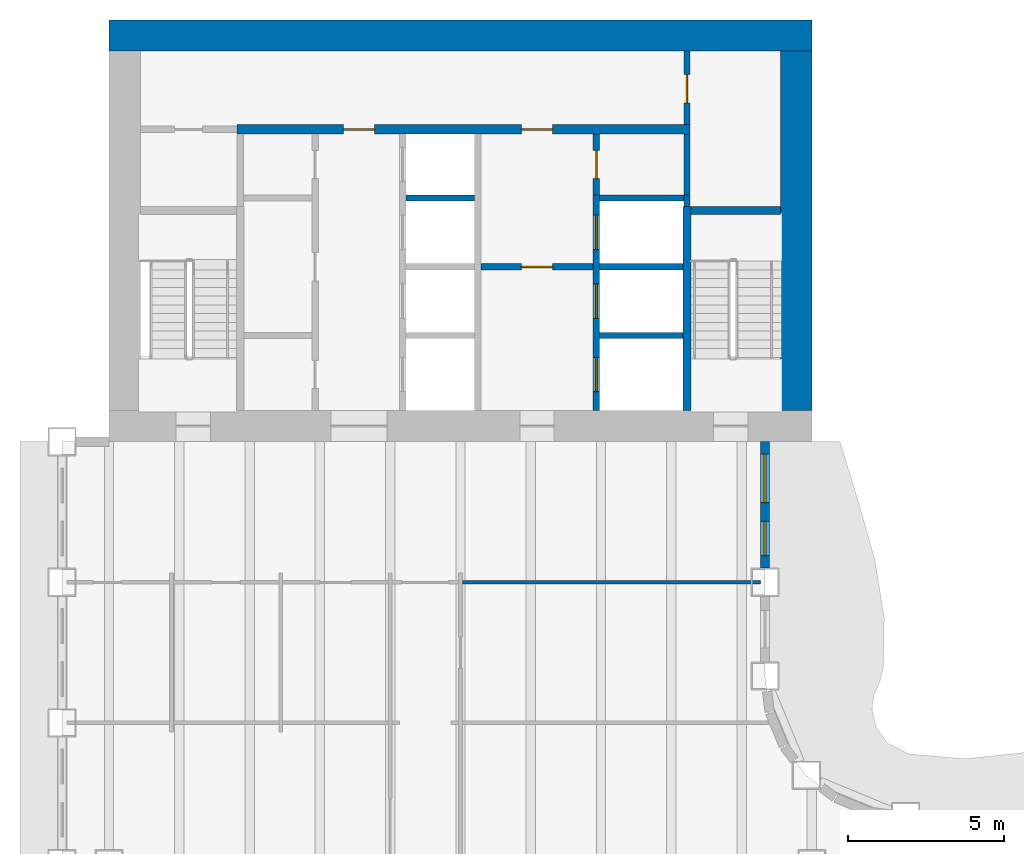
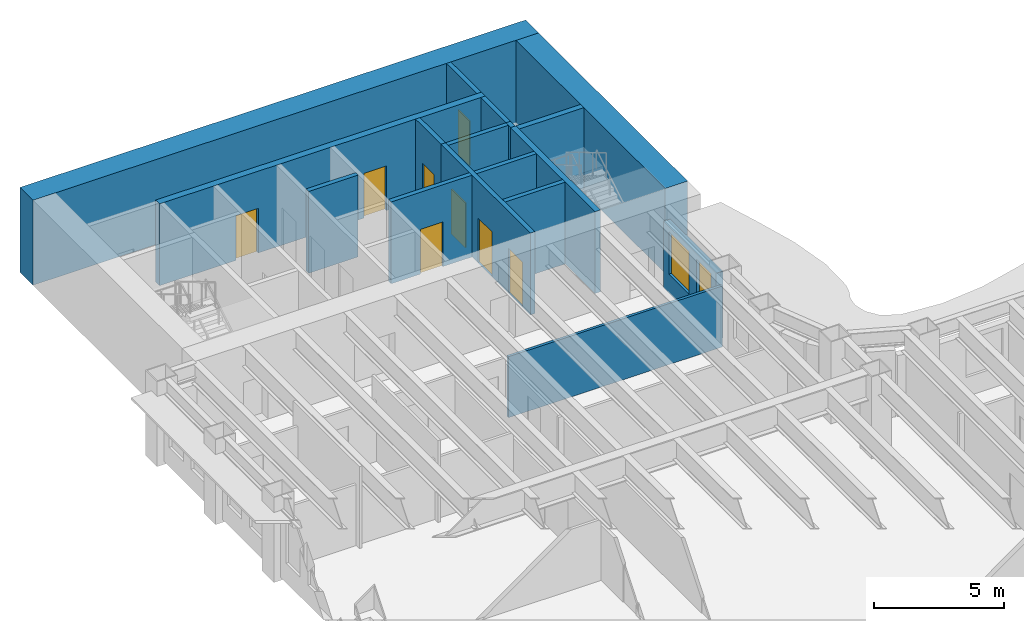
# One storey, part 9 of 16: 17 walls, 8 doors, 2 windows, 10 openings.
"""IFC4 building model written with IfcOpenShell, lengths in metres."""

import ifcopenshell
import ifcopenshell.guid

model = None  # the IFC model being written
_history = None  # IfcOwnerHistory: only IFC2X3 demands one
_inside = {}  # id of a spatial element -> (the spatial element, [elements in it])
_under = {}  # id of a project, library or spatial element -> (it, [spatial elements below it])
_declared = {}  # id of a project -> (the project, [libraries it declares])
_typed = {}  # id of a type object -> (the type object, [elements of that type])
_made_of = {}  # id of a material, layer set ... -> (it, [elements and type objects made of it])


def new_model(schema):
    """Start an empty IFC model of exactly this schema.

    Asked for "IFC4X3", IfcOpenShell would pick the latest addendum, in which some entities
    have other attributes; the version numbers below select the first issue.
    IFC2X3 requires an IfcOwnerHistory on every rooted entity: one is made here for all.
    """
    global model, _history
    if schema == "IFC4X3":
        model = ifcopenshell.file(schema_version=(4, 3, 0, 0))
    else:
        model = ifcopenshell.file(schema=schema)
    _inside.clear()
    _under.clear()
    _declared.clear()
    _typed.clear()
    _made_of.clear()
    _history = None
    if model.schema == "IFC2X3":
        org = make("IfcOrganization", Name="unknown")
        user = make(
            "IfcPersonAndOrganization",
            ThePerson=make("IfcPerson", FamilyName="unknown"),
            TheOrganization=org,
        )
        app = make(
            "IfcApplication",
            ApplicationDeveloper=org,
            Version="unknown",
            ApplicationFullName="unknown",
            ApplicationIdentifier="unknown",
        )
        _history = make(
            "IfcOwnerHistory",
            OwningUser=user,
            OwningApplication=app,
            ChangeAction="ADDED",
            CreationDate=0,
        )
    return model


def make(cls, **values):
    """One entity of the class cls with the attributes given. An attribute that is None is left unset."""
    return model.create_entity(
        cls, **{name: value for name, value in values.items() if value is not None}
    )


def rooted(cls, **values):
    """An entity with a GlobalId (a new one), such as an element, a storey or a relation."""
    return make(cls, GlobalId=ifcopenshell.guid.new(), OwnerHistory=_history, **values)


def si_unit(unit_type, name, prefix=None):
    """IfcSIUnit, for example si_unit("LENGTHUNIT", "METRE", prefix="MILLI")."""
    return make("IfcSIUnit", UnitType=unit_type, Prefix=prefix, Name=name)


def assignment(units):
    """IfcUnitAssignment: the units of a project."""
    return None if units is None else make("IfcUnitAssignment", Units=units)


def point(xyz):
    """IfcCartesianPoint."""
    return None if xyz is None else make("IfcCartesianPoint", Coordinates=xyz)


def direction(xyz):
    """IfcDirection."""
    return None if xyz is None else make("IfcDirection", DirectionRatios=xyz)


def frame(location, z_axis=None, x_axis=None):
    """IfcAxis2Placement3D, a coordinate frame: its origin and axes. An axis left out is left unset."""
    return make(
        "IfcAxis2Placement3D",
        Location=point(location),
        Axis=direction(z_axis),
        RefDirection=direction(x_axis),
    )


def frame_2d(location, x_axis=None):
    """IfcAxis2Placement2D, a coordinate frame in the plane: its origin and x axis."""
    return make(
        "IfcAxis2Placement2D", Location=point(location), RefDirection=direction(x_axis)
    )


def origin():
    """The frame at (0, 0, 0) with its axes left unset."""
    return frame((0.0, 0.0, 0.0))


def place(relative_to, where):
    """IfcLocalPlacement: puts the frame where relative to a parent placement (None: the world)."""
    return make(
        "IfcLocalPlacement", PlacementRelTo=relative_to, RelativePlacement=where
    )


def context(
    kind, dimensions, precision=None, world=None, true_north=None, identifier=None
):
    """IfcGeometricRepresentationContext, for example the 3D "Model" context."""
    return make(
        "IfcGeometricRepresentationContext",
        ContextIdentifier=identifier,
        ContextType=kind,
        CoordinateSpaceDimension=dimensions,
        Precision=precision,
        WorldCoordinateSystem=world,
        TrueNorth=true_north,
    )


def subcontext(parent, identifier, kind, view, scale=None):
    """IfcGeometricRepresentationSubContext, for example "Body" below "Model"."""
    return make(
        "IfcGeometricRepresentationSubContext",
        ContextIdentifier=identifier,
        ContextType=kind,
        ParentContext=parent,
        TargetScale=scale,
        TargetView=view,
    )


def project(units=None, contexts=None):
    """IfcProject with its units and contexts."""
    return rooted(
        "IfcProject",
        Name="project",
        RepresentationContexts=contexts,
        UnitsInContext=assignment(units),
    )


def spatial(cls, under=None, at=None, **own):
    """A site, building, storey or space (cls), placed at a placement, below another one or the project."""
    s = rooted(cls, ObjectPlacement=at, **own)
    if under is not None:
        _under.setdefault(under.id(), (under, []))[1].append(s)
    return s


def profile(cls, at=None, kind="AREA", **sizes):
    """A parametric profile (cls). Its sizes go by their IFC names, for example OverallWidth=200.0."""
    return make(cls, ProfileType=kind, Position=at, **sizes)


def rectangle(**sizes):
    """IfcRectangleProfileDef."""
    return profile("IfcRectangleProfileDef", **sizes)


def extrude(swept, where, along, depth):
    """IfcExtrudedAreaSolid: the profile swept, set in the frame where, extruded along a direction by depth."""
    return make(
        "IfcExtrudedAreaSolid",
        SweptArea=swept,
        Position=where,
        ExtrudedDirection=direction(along),
        Depth=depth,
    )


def shape(context_of_items, identifier, shape_type, items):
    """IfcShapeRepresentation: the items that make up one representation, for example the "Body"."""
    return make(
        "IfcShapeRepresentation",
        ContextOfItems=context_of_items,
        RepresentationIdentifier=identifier,
        RepresentationType=shape_type,
        Items=items,
    )


def material(Name=None, Category=None):
    """IfcMaterial."""
    return make("IfcMaterial", Name=Name, Category=Category)


def layer(
    of_material, thickness, ventilated=None, Name=None, Category=None, Priority=None
):
    """IfcMaterialLayer: one layer of a wall or slab, of a material (None: an air gap)."""
    return make(
        "IfcMaterialLayer",
        Material=of_material,
        LayerThickness=thickness,
        IsVentilated=ventilated,
        Name=Name,
        Category=Category,
        Priority=Priority,
    )


def layer_set(layers, Name=None):
    """IfcMaterialLayerSet."""
    return make("IfcMaterialLayerSet", MaterialLayers=layers, LayerSetName=Name)


def made_of(thing, what):
    """Note that an element or type object is made of a material, layer set ...; save() writes the relation."""
    if what is not None:
        _made_of.setdefault(what.id(), (what, []))[1].append(thing)
    return thing


def type_object(cls, material=None, **own):
    """A type object (cls), such as IfcWallType, which elements share."""
    return made_of(rooted(cls, **own), material)


def element(
    cls,
    number,
    at=None,
    inside=None,
    cuts=None,
    type_object=None,
    material=None,
    context=None,
    identifier="Body",
    shape_type=None,
    held_by="IfcProductDefinitionShape",
    body=None,
    shapes=None,
    **own,
):
    """One element of the class cls, such as IfcWall. Its Tag is "e" and its number.

    at: its placement. inside: the storey or other place that contains it. cuts: it is an
    opening in that element (IfcRelVoidsElement). A single representation is given by context,
    identifier, shape_type and body (its items); several are given by shapes. held_by: the class
    of the entity that holds the representations. save() writes the other relations.
    """
    e = rooted(cls, Tag="e%d" % number, ObjectPlacement=at, **own)
    if body is not None:
        shapes = [shape(context, identifier, shape_type, body)]
    if shapes is not None:
        e.Representation = make(held_by, Representations=shapes)
    if inside is not None:
        _inside.setdefault(inside.id(), (inside, []))[1].append(e)
    if cuts is not None:
        rooted(
            "IfcRelVoidsElement", RelatingBuildingElement=cuts, RelatedOpeningElement=e
        )
    if type_object is not None:
        _typed.setdefault(type_object.id(), (type_object, []))[1].append(e)
    return made_of(e, material)


def fill(opening, filler):
    """IfcRelFillsElement: the door or window that sits in an opening."""
    return rooted(
        "IfcRelFillsElement",
        RelatingOpeningElement=opening,
        RelatedBuildingElement=filler,
    )


def aggregate(whole, parts):
    """IfcRelAggregates: a whole, such as a stair, and the parts it consists of."""
    return rooted("IfcRelAggregates", RelatingObject=whole, RelatedObjects=parts)


def save(model, path):
    """Write the relations noted so far, then the file.

    IfcRelAggregates (storeys below a building ...), IfcRelContainedInSpatialStructure (elements
    in a storey), IfcRelDefinesByType, IfcRelAssociatesMaterial and IfcRelDeclares: one each for
    every whole, place, type object, material and project.
    """
    for whole, parts in _under.values():
        aggregate(whole, parts)
    for where, things in _inside.values():
        rooted(
            "IfcRelContainedInSpatialStructure",
            RelatedElements=things,
            RelatingStructure=where,
        )
    for kind, things in _typed.values():
        rooted("IfcRelDefinesByType", RelatedObjects=things, RelatingType=kind)
    for what, things in _made_of.values():
        rooted("IfcRelAssociatesMaterial", RelatedObjects=things, RelatingMaterial=what)
    for by, libraries in _declared.values():
        rooted("IfcRelDeclares", RelatingContext=by, RelatedDefinitions=libraries)
    model.write(path)


model = new_model("IFC4")

# Units and contexts
model_context = context("Model", 3, precision=1e-05, world=origin(), true_north=direction((0.0, 1.0)))
body_context = subcontext(model_context, "Body", "Model", "MODEL_VIEW")
ifc_project = project(units=[si_unit("LENGTHUNIT", "METRE"), si_unit("AREAUNIT", "SQUARE_METRE"), si_unit("VOLUMEUNIT", "CUBIC_METRE"), si_unit("PLANEANGLEUNIT", "RADIAN"), si_unit("MASSUNIT", "GRAM", prefix="KILO")], contexts=[model_context])

# Site, building, storey
site_placement = place(None, origin())
site = spatial("IfcSite", under=ifc_project, at=site_placement, CompositionType="ELEMENT")
building_placement = place(site_placement, origin())
building = spatial("IfcBuilding", under=site, at=building_placement, Name="Sennacour Bend Tower", CompositionType="ELEMENT")
storey_placement = place(building_placement, frame((0.0, 0.0, 163.0)))
storey = spatial("IfcBuildingStorey", under=building, at=storey_placement, Name="L37", CompositionType="ELEMENT", Elevation=163.0)

# Walls
ifc_material_1 = material(Name="Concrete C60/75", Category="concrete")
ifc_layer_1 = layer(ifc_material_1, 1.0, Name="Concrete C60/75", Category="concrete")
ifc_layer_set_1 = layer_set([ifc_layer_1], Name="Concrete C60/75")
wall_type_1 = type_object("IfcWallType", Name="Core wall 1000 C60/75", PredefinedType="SHEAR", material=ifc_layer_set_1)
wall_1_placement = place(storey_placement, frame((0.0, 49.0, -0.14990234375), z_axis=(0.0, 0.0, 1.0), x_axis=(1.0, 0.0, 0.0)))
element("IfcWall", 1, at=wall_1_placement, inside=storey, type_object=wall_type_1, Name="Core B wall L37 N", PredefinedType="SHEAR", context=body_context, shape_type="SweptSolid", body=[
    extrude(rectangle(XDim=22.5, YDim=1.0, at=frame_2d((11.25, 0.0))), origin(), (0.0, 0.0, 1.0), 4.0),
])
wall_2_placement = place(storey_placement, frame((22.0, 37.0, -0.14990234375), z_axis=(0.0, 0.0, 1.0), x_axis=(0.0, 1.0, 0.0)))
element("IfcWall", 2, at=wall_2_placement, inside=storey, type_object=wall_type_1, Name="Core B wall L37 E", PredefinedType="SHEAR", context=body_context, shape_type="SweptSolid", body=[
    extrude(rectangle(XDim=11.5, YDim=1.0, at=frame_2d((5.75, 0.0))), origin(), (0.0, 0.0, 1.0), 4.0),
])
ifc_material_2 = material(Name="Plasterboard partition on steel studs", Category="steel")
ifc_layer_2 = layer(ifc_material_2, 0.1201171875, Name="Plasterboard partition on steel studs", Category="steel")
ifc_layer_set_2 = layer_set([ifc_layer_2], Name="Plasterboard partition on steel studs")
wall_type_2 = type_object("IfcWallType", Name="Partition 120", PredefinedType="PARTITIONING", material=ifc_layer_set_2)
wall_3_placement = place(storey_placement, frame((11.31005859375, 31.5, 0.0), z_axis=(0.0, 0.0, 1.0), x_axis=(1.0, 0.0, 0.0)))
element("IfcWall", 3, at=wall_3_placement, inside=storey, type_object=wall_type_2, Name="P-L37-W080ae", PredefinedType="PARTITIONING", context=body_context, shape_type="SweptSolid", body=[
    extrude(rectangle(XDim=9.5400390625, YDim=0.1201171875, at=frame_2d((4.77001953125, 0.0))), origin(), (0.0, 0.0, 1.0), 2.8701171875),
])

# Wall, opening, door
ifc_material_3 = material(Name="Fire-rated plasterboard partition on steel studs", Category="steel")
ifc_layer_3 = layer(ifc_material_3, 0.199951171875, Name="Fire-rated plasterboard partition on steel studs", Category="steel")
ifc_layer_set_3 = layer_set([ifc_layer_3], Name="Fire-rated plasterboard partition on steel studs")
wall_type_3 = type_object("IfcWallType", Name="Rated partition 200", PredefinedType="PARTITIONING", material=ifc_layer_set_3)
wall_4_placement = place(storey_placement, frame((15.60009765625, 43.89990234375, 0.0), z_axis=(0.0, 0.0, 1.0), x_axis=(0.0, 1.0, 0.0)))
wall_4 = element("IfcWall", 4, at=wall_4_placement, inside=storey, type_object=wall_type_3, Name="P-L37-W018", PredefinedType="PARTITIONING", context=body_context, shape_type="SweptSolid", body=[
    extrude(rectangle(XDim=1.9501953125, YDim=0.199951171875, at=frame_2d((0.97509765625, 0.0))), origin(), (0.0, 0.0, 1.0), 3.85009765625),
])
opening_1_placement = place(wall_4_placement, frame((0.525146484375, 0.0, 0.0)))
opening_1 = element("IfcOpeningElement", 5, at=opening_1_placement, cuts=wall_4, Name="Opening SV", PredefinedType="OPENING", context=body_context, shape_type="SweptSolid", body=[
    extrude(rectangle(XDim=0.89990234375, YDim=2.10009765625, at=frame_2d((0.449951171875, 1.050048828125))), frame((0.0, 0.10986328125, 0.0), z_axis=(0.0, -1.0, 0.0), x_axis=(1.0, 0.0, 0.0)), (0.0, 0.0, 1.0), 0.219970703125),
])
ifc_material_4 = material(Name="Painted steel", Category="steel")
door_type_1 = type_object("IfcDoorType", Name="DR-SERVICE-900", OperationType="NOTDEFINED", PredefinedType="DOOR", material=ifc_material_4)
door_1_placement = place(opening_1_placement, origin())
door_1 = element("IfcDoor", 6, at=door_1_placement, inside=storey, type_object=door_type_1, Name="Door", OperationType="SINGLE_SWING_RIGHT", OverallHeight=2.10009765625, OverallWidth=0.89990234375, PredefinedType="DOOR", context=body_context, shape_type="SweptSolid", body=[
    extrude(rectangle(XDim=0.89990234375, YDim=2.10009765625, at=frame_2d((0.449951171875, 1.050048828125))), frame((0.0, 0.02490234375, 0.0), z_axis=(0.0, -1.0, 0.0), x_axis=(1.0, 0.0, 0.0)), (0.0, 0.0, 1.0), 0.050048828125),
])
fill(opening_1, door_1)

# Wall
wall_5_placement = place(storey_placement, frame((18.5, 43.89990234375, 0.0), z_axis=(0.0, 0.0, 1.0), x_axis=(0.0, 1.0, 0.0)))
element("IfcWall", 7, at=wall_5_placement, inside=storey, type_object=wall_type_3, Name="P-L37-W022a", PredefinedType="PARTITIONING", context=body_context, shape_type="SweptSolid", body=[
    extrude(rectangle(XDim=1.9501953125, YDim=0.199951171875, at=frame_2d((0.97509765625, 0.0))), origin(), (0.0, 0.0, 1.0), 3.85009765625),
])

# Wall, opening, door
wall_6_placement = place(storey_placement, frame((18.5, 46.14990234375, 0.0), z_axis=(0.0, 0.0, 1.0), x_axis=(0.0, 1.0, 0.0)))
wall_6 = element("IfcWall", 8, at=wall_6_placement, inside=storey, type_object=wall_type_3, Name="P-L37-W022b", PredefinedType="PARTITIONING", context=body_context, shape_type="SweptSolid", body=[
    extrude(rectangle(XDim=2.35009765625, YDim=0.199951171875, at=frame_2d((1.175048828125, 0.0))), origin(), (0.0, 0.0, 1.0), 3.85009765625),
])
opening_2_placement = place(wall_6_placement, frame((0.7001953125, 0.0, 0.0)))
opening_2 = element("IfcOpeningElement", 9, at=opening_2_placement, cuts=wall_6, Name="Opening SV", PredefinedType="OPENING", context=body_context, shape_type="SweptSolid", body=[
    extrude(rectangle(XDim=0.89990234375, YDim=2.10009765625, at=frame_2d((0.449951171875, 1.050048828125))), frame((0.0, 0.10986328125, 0.0), z_axis=(0.0, -1.0, 0.0), x_axis=(1.0, 0.0, 0.0)), (0.0, 0.0, 1.0), 0.219970703125),
])
door_2_placement = place(opening_2_placement, origin())
door_2 = element("IfcDoor", 10, at=door_2_placement, inside=storey, type_object=door_type_1, Name="Door", OperationType="SINGLE_SWING_LEFT", OverallHeight=2.10009765625, OverallWidth=0.89990234375, PredefinedType="DOOR", context=body_context, shape_type="SweptSolid", body=[
    extrude(rectangle(XDim=0.89990234375, YDim=2.10009765625, at=frame_2d((0.449951171875, 1.050048828125))), frame((0.0, 0.02490234375, 0.0), z_axis=(0.0, -1.0, 0.0), x_axis=(1.0, 0.0, 0.0)), (0.0, 0.0, 1.0), 0.050048828125),
])
fill(opening_2, door_2)

ifc_layer_4 = layer(ifc_material_3, 0.199951171875, Name="Fire-rated plasterboard partition on steel studs", Category="steel")
ifc_layer_set_4 = layer_set([ifc_layer_4], Name="Fire-rated plasterboard partition on steel studs")
wall_type_4 = type_object("IfcWallType", Name="Rated partition 200 EI 90", PredefinedType="PARTITIONING", material=ifc_layer_set_4)
wall_7_placement = place(storey_placement, frame((11.89990234375, 41.60009765625, 0.0), z_axis=(0.0, 0.0, 1.0), x_axis=(1.0, 0.0, 0.0)))
wall_7 = element("IfcWall", 11, at=wall_7_placement, inside=storey, type_object=wall_type_4, Name="P-L37-W086", PredefinedType="PARTITIONING", context=body_context, shape_type="SweptSolid", body=[
    extrude(rectangle(XDim=3.60009765625, YDim=0.199951171875, at=frame_2d((1.800048828125, 0.0))), origin(), (0.0, 0.0, 1.0), 3.85009765625),
])
opening_3_placement = place(wall_7_placement, frame((1.300048828125, 0.0, 0.0)))
opening_3 = element("IfcOpeningElement", 12, at=opening_3_placement, cuts=wall_7, Name="Opening FD2", PredefinedType="OPENING", context=body_context, shape_type="SweptSolid", body=[
    extrude(rectangle(XDim=1.0, YDim=2.10009765625, at=frame_2d((0.5, 1.050048828125))), frame((0.0, 0.10986328125, 0.0), z_axis=(0.0, -1.0, 0.0), x_axis=(1.0, 0.0, 0.0)), (0.0, 0.0, 1.0), 0.219970703125),
])
door_type_2 = type_object("IfcDoorType", Name="DR-FFL-1000", OperationType="NOTDEFINED", PredefinedType="DOOR", material=ifc_material_4)
door_3_placement = place(opening_3_placement, origin())
door_3 = element("IfcDoor", 13, at=door_3_placement, inside=storey, type_object=door_type_2, Name="Door", OperationType="SINGLE_SWING_LEFT", OverallHeight=2.10009765625, OverallWidth=1.0, PredefinedType="DOOR", context=body_context, shape_type="SweptSolid", body=[
    extrude(rectangle(XDim=1.0, YDim=2.10009765625, at=frame_2d((0.5, 1.050048828125))), frame((0.0, 0.02490234375, 0.0), z_axis=(0.0, -1.0, 0.0), x_axis=(1.0, 0.0, 0.0)), (0.0, 0.0, 1.0), 0.050048828125),
])
fill(opening_3, door_3)

# Wall, openings, windows
ifc_material_5 = material(Name="Warm limestone cladding", Category="masonry")
ifc_layer_5 = layer(ifc_material_5, 0.050048828125, Name="Warm limestone cladding", Category="masonry")
ifc_material_6 = material(Name="Precast concrete C40/50", Category="concrete")
ifc_layer_6 = layer(ifc_material_6, 0.25, Name="Precast concrete C40/50", Category="concrete")
ifc_layer_set_5 = layer_set([ifc_layer_5, ifc_layer_6], Name="Precast concrete C40/50 with limestone cladding")
wall_type_5 = type_object("IfcWallType", Name="STONE-CLAD PRECAST SPANDREL 300", PredefinedType="STANDARD", material=ifc_layer_set_5)
wall_8_placement = place(storey_placement, frame((21.0, 31.949951171875, 0.0), z_axis=(0.0, 0.0, 1.0), x_axis=(0.0, 1.0, 0.0)))
wall_8 = element("IfcWall", 14, at=wall_8_placement, inside=storey, type_object=wall_type_5, Name="Stone spandrel and pier wall L37 15.01", PredefinedType="STANDARD", context=body_context, shape_type="SweptSolid", body=[
    extrude(rectangle(XDim=4.050048828125, YDim=0.300048828125, at=frame_2d((2.02490234375, 0.0))), origin(), (0.0, 0.0, 1.0), 3.14892578125),
])
opening_4_placement = place(wall_8_placement, frame((0.39990234375, 0.0, 0.89990234375)))
opening_4 = element("IfcOpeningElement", 15, at=opening_4_placement, cuts=wall_8, Name="Opening W19", PredefinedType="OPENING", context=body_context, shape_type="SweptSolid", body=[
    extrude(rectangle(XDim=1.10009765625, YDim=2.0, at=frame_2d((0.550048828125, 1.0))), frame((0.0, 0.16015625, 0.0), z_axis=(0.0, -1.0, 0.0), x_axis=(1.0, 0.0, 0.0)), (0.0, 0.0, 1.0), 0.320068359375),
])
opening_5_placement = place(wall_8_placement, frame((2.10009765625, 0.0, 0.89990234375)))
opening_5 = element("IfcOpeningElement", 16, at=opening_5_placement, cuts=wall_8, Name="Opening W9", PredefinedType="OPENING", context=body_context, shape_type="SweptSolid", body=[
    extrude(rectangle(XDim=1.550048828125, YDim=2.0, at=frame_2d((0.77490234375, 1.0))), frame((0.0, 0.16015625, 0.0), z_axis=(0.0, -1.0, 0.0), x_axis=(1.0, 0.0, 0.0)), (0.0, 0.0, 1.0), 0.320068359375),
])
ifc_material_7 = material(Name="Clear low-emissivity glass", Category="glass")
window_type_1 = type_object("IfcWindowType", Name="WIN-RIBBON-1100x2000", PartitioningType="SINGLE_PANEL", PredefinedType="WINDOW", material=ifc_material_7)
window_1_placement = place(opening_4_placement, origin())
window_1 = element("IfcWindow", 17, at=window_1_placement, inside=storey, type_object=window_type_1, Name="Ribbon window L37 15.01.0", OverallHeight=2.0, OverallWidth=1.10009765625, PartitioningType="SINGLE_PANEL", PredefinedType="WINDOW", context=body_context, shape_type="SweptSolid", body=[
    extrude(rectangle(XDim=1.10009765625, YDim=2.0, at=frame_2d((0.550048828125, 1.0))), frame((0.0, 0.030029296875, 0.0), z_axis=(0.0, -1.0, 0.0), x_axis=(1.0, 0.0, 0.0)), (0.0, 0.0, 1.0), 0.06005859375),
])
fill(opening_4, window_1)
window_type_2 = type_object("IfcWindowType", Name="WIN-RIBBON-1550x2000", PartitioningType="SINGLE_PANEL", PredefinedType="WINDOW", material=ifc_material_7)
window_2_placement = place(opening_5_placement, origin())
window_2 = element("IfcWindow", 18, at=window_2_placement, inside=storey, type_object=window_type_2, Name="Ribbon window L37 15.01.1", OverallHeight=2.0, OverallWidth=1.550048828125, PartitioningType="SINGLE_PANEL", PredefinedType="WINDOW", context=body_context, shape_type="SweptSolid", body=[
    extrude(rectangle(XDim=1.550048828125, YDim=2.0, at=frame_2d((0.77490234375, 1.0))), frame((0.0, 0.030029296875, 0.0), z_axis=(0.0, -1.0, 0.0), x_axis=(1.0, 0.0, 0.0)), (0.0, 0.0, 1.0), 0.06005859375),
])
fill(opening_5, window_2)

# Wall, openings, doors
ifc_material_8 = material(Name="Concrete C50/60", Category="concrete")
ifc_layer_7 = layer(ifc_material_8, 0.199951171875, Name="Concrete C50/60", Category="concrete")
ifc_layer_set_6 = layer_set([ifc_layer_7], Name="Concrete C50/60")
wall_type_6 = type_object("IfcWallType", Name="Shaft wall 200", PredefinedType="SOLIDWALL", material=ifc_layer_set_6)
wall_9_placement = place(storey_placement, frame((15.60009765625, 37.0, 0.0), z_axis=(0.0, 0.0, 1.0), x_axis=(0.0, 1.0, 0.0)))
wall_9 = element("IfcWall", 19, at=wall_9_placement, inside=storey, type_object=wall_type_6, Name="P-L37-W017", PredefinedType="SOLIDWALL", context=body_context, shape_type="SweptSolid", body=[
    extrude(rectangle(XDim=6.89990234375, YDim=0.199951171875, at=frame_2d((3.449951171875, 0.0))), origin(), (0.0, 0.0, 1.0), 3.85009765625),
])
opening_6_placement = place(wall_9_placement, frame((0.60009765625, 0.0, 0.011962890625)))
opening_6 = element("IfcOpeningElement", 20, at=opening_6_placement, cuts=wall_9, Name="Opening FLD", PredefinedType="OPENING", context=body_context, shape_type="SweptSolid", body=[
    extrude(rectangle(XDim=1.10009765625, YDim=2.10009765625, at=frame_2d((0.550048828125, 1.050048828125))), frame((0.0, 0.10986328125, 0.0), z_axis=(0.0, -1.0, 0.0), x_axis=(1.0, 0.0, 0.0)), (0.0, 0.0, 1.0), 0.219970703125),
])
opening_7_placement = place(wall_9_placement, frame((2.949951171875, 0.0, 0.011962890625)))
opening_7 = element("IfcOpeningElement", 21, at=opening_7_placement, cuts=wall_9, Name="Opening FLD", PredefinedType="OPENING", context=body_context, shape_type="SweptSolid", body=[
    extrude(rectangle(XDim=1.10009765625, YDim=2.10009765625, at=frame_2d((0.550048828125, 1.050048828125))), frame((0.0, 0.10986328125, 0.0), z_axis=(0.0, -1.0, 0.0), x_axis=(1.0, 0.0, 0.0)), (0.0, 0.0, 1.0), 0.219970703125),
])
opening_8_placement = place(wall_9_placement, frame((5.14990234375, 0.0, 0.011962890625)))
opening_8 = element("IfcOpeningElement", 22, at=opening_8_placement, cuts=wall_9, Name="Opening LD", PredefinedType="OPENING", context=body_context, shape_type="SweptSolid", body=[
    extrude(rectangle(XDim=1.10009765625, YDim=2.10009765625, at=frame_2d((0.550048828125, 1.050048828125))), frame((0.0, 0.10986328125, 0.0), z_axis=(0.0, -1.0, 0.0), x_axis=(1.0, 0.0, 0.0)), (0.0, 0.0, 1.0), 0.219970703125),
])
ifc_material_9 = material(Name="Stainless steel", Category="steel")
door_type_3 = type_object("IfcDoorType", Name="DR-FF-LANDING-1100", OperationType="NOTDEFINED", PredefinedType="DOOR", material=ifc_material_9)
door_4_placement = place(opening_6_placement, origin())
door_4 = element("IfcDoor", 23, at=door_4_placement, inside=storey, type_object=door_type_3, Name="Fire service lift landing door FB1", OperationType="SLIDING_TO_LEFT", OverallHeight=2.10009765625, OverallWidth=1.10009765625, PredefinedType="DOOR", context=body_context, shape_type="SweptSolid", body=[
    extrude(rectangle(XDim=1.10009765625, YDim=2.10009765625, at=frame_2d((0.550048828125, 1.050048828125))), frame((0.0, 0.02490234375, 0.0), z_axis=(0.0, -1.0, 0.0), x_axis=(1.0, 0.0, 0.0)), (0.0, 0.0, 1.0), 0.050048828125),
])
fill(opening_6, door_4)
door_5_placement = place(opening_7_placement, origin())
door_5 = element("IfcDoor", 24, at=door_5_placement, inside=storey, type_object=door_type_3, Name="Fire service lift landing door FB2", OperationType="SLIDING_TO_RIGHT", OverallHeight=2.10009765625, OverallWidth=1.10009765625, PredefinedType="DOOR", context=body_context, shape_type="SweptSolid", body=[
    extrude(rectangle(XDim=1.10009765625, YDim=2.10009765625, at=frame_2d((0.550048828125, 1.050048828125))), frame((0.0, 0.02490234375, 0.0), z_axis=(0.0, -1.0, 0.0), x_axis=(1.0, 0.0, 0.0)), (0.0, 0.0, 1.0), 0.050048828125),
])
fill(opening_7, door_5)
door_type_4 = type_object("IfcDoorType", Name="DR-LANDING-1100", OperationType="NOTDEFINED", PredefinedType="DOOR", material=ifc_material_9)
door_6_placement = place(opening_8_placement, origin())
door_6 = element("IfcDoor", 25, at=door_6_placement, inside=storey, type_object=door_type_4, Name="Lift landing door MB5", OperationType="SLIDING_TO_LEFT", OverallHeight=2.10009765625, OverallWidth=1.10009765625, PredefinedType="DOOR", context=body_context, shape_type="SweptSolid", body=[
    extrude(rectangle(XDim=1.10009765625, YDim=2.10009765625, at=frame_2d((0.550048828125, 1.050048828125))), frame((0.0, 0.02490234375, 0.0), z_axis=(0.0, -1.0, 0.0), x_axis=(1.0, 0.0, 0.0)), (0.0, 0.0, 1.0), 0.050048828125),
])
fill(opening_8, door_6)

# Walls
wall_10_placement = place(storey_placement, frame((18.5, 43.52490234375, 0.0), z_axis=(0.0, 0.0, 1.0), x_axis=(0.0, 1.0, 0.0)))
element("IfcWall", 26, at=wall_10_placement, inside=storey, type_object=wall_type_6, Name="P-L37-W021", PredefinedType="SOLIDWALL", context=body_context, shape_type="SweptSolid", body=[
    extrude(rectangle(XDim=0.375, YDim=0.199951171875, at=frame_2d((0.1875, 0.0))), origin(), (0.0, 0.0, 1.0), 3.85009765625),
])
for number, where, z_axis, x_axis, name in (
    (27, (15.699951171875, 39.39990234375, 0.0), (0.0, 0.0, 1.0), (1.0, 0.0, 0.0), "P-L37-W084"),
    (28, (15.699951171875, 41.60009765625, 0.0), (0.0, 0.0, 1.0), (1.0, 0.0, 0.0), "P-L37-W087"),
):
    element("IfcWall", number, at=place(storey_placement, frame(where, z_axis=z_axis, x_axis=x_axis)), inside=storey, type_object=wall_type_6, Name=name, PredefinedType="SOLIDWALL", context=body_context, shape_type="SweptSolid", body=[
        extrude(rectangle(XDim=2.675048828125, YDim=0.199951171875, at=frame_2d((1.33740234375, 0.0))), origin(), (0.0, 0.0, 1.0), 3.85009765625),
    ])
wall_11_placement = place(storey_placement, frame((9.5, 43.800048828125, 0.0), z_axis=(0.0, 0.0, 1.0), x_axis=(1.0, 0.0, 0.0)))
element("IfcWall", 29, at=wall_11_placement, inside=storey, type_object=wall_type_6, Name="P-L37-W091", PredefinedType="SOLIDWALL", context=body_context, shape_type="SweptSolid", body=[
    extrude(rectangle(XDim=2.199951171875, YDim=0.199951171875, at=frame_2d((1.10009765625, 0.0))), origin(), (0.0, 0.0, 1.0), 3.85009765625),
])
wall_12_placement = place(storey_placement, frame((15.699951171875, 43.800048828125, 0.0), z_axis=(0.0, 0.0, 1.0), x_axis=(1.0, 0.0, 0.0)))
element("IfcWall", 30, at=wall_12_placement, inside=storey, type_object=wall_type_6, Name="P-L37-W092", PredefinedType="SOLIDWALL", context=body_context, shape_type="SweptSolid", body=[
    extrude(rectangle(XDim=2.699951171875, YDim=0.199951171875, at=frame_2d((1.35009765625, 0.0))), origin(), (0.0, 0.0, 1.0), 3.85009765625),
])

# Wall, openings, doors
ifc_layer_8 = layer(ifc_material_1, 0.300048828125, Name="Concrete C60/75", Category="concrete")
ifc_layer_set_7 = layer_set([ifc_layer_8], Name="Concrete C60/75")
wall_type_7 = type_object("IfcWallType", Name="Spine wall 300", PredefinedType="SHEAR", material=ifc_layer_set_7)
wall_13_placement = place(storey_placement, frame((4.10009765625, 46.0, 0.0), z_axis=(0.0, 0.0, 1.0), x_axis=(1.0, 0.0, 0.0)))
wall_13 = element("IfcWall", 31, at=wall_13_placement, inside=storey, type_object=wall_type_7, Name="P-L37-W094", PredefinedType="SHEAR", context=body_context, shape_type="SweptSolid", body=[
    extrude(rectangle(XDim=14.5, YDim=0.300048828125, at=frame_2d((7.25, 0.0))), origin(), (0.0, 0.0, 1.0), 3.85009765625),
])
opening_9_placement = place(wall_13_placement, frame((3.39990234375, 0.0, 0.0)))
opening_9 = element("IfcOpeningElement", 32, at=opening_9_placement, cuts=wall_13, Name="Opening CD2", PredefinedType="OPENING", context=body_context, shape_type="SweptSolid", body=[
    extrude(rectangle(XDim=1.0, YDim=2.10009765625, at=frame_2d((0.5, 1.050048828125))), frame((0.0, 0.16015625, 0.0), z_axis=(0.0, -1.0, 0.0), x_axis=(1.0, 0.0, 0.0)), (0.0, 0.0, 1.0), 0.320068359375),
])
opening_10_placement = place(wall_13_placement, frame((9.099853515625, 0.0, 0.0)))
opening_10 = element("IfcOpeningElement", 33, at=opening_10_placement, cuts=wall_13, Name="Opening CD2", PredefinedType="OPENING", context=body_context, shape_type="SweptSolid", body=[
    extrude(rectangle(XDim=1.0, YDim=2.10009765625, at=frame_2d((0.5, 1.050048828125))), frame((0.0, 0.16015625, 0.0), z_axis=(0.0, -1.0, 0.0), x_axis=(1.0, 0.0, 0.0)), (0.0, 0.0, 1.0), 0.320068359375),
])
door_type_5 = type_object("IfcDoorType", Name="DR-LOBBY-1000", OperationType="NOTDEFINED", PredefinedType="DOOR", material=ifc_material_4)
door_7_placement = place(opening_9_placement, origin())
door_7 = element("IfcDoor", 34, at=door_7_placement, inside=storey, type_object=door_type_5, Name="Door", OperationType="SINGLE_SWING_LEFT", OverallHeight=2.10009765625, OverallWidth=1.0, PredefinedType="DOOR", context=body_context, shape_type="SweptSolid", body=[
    extrude(rectangle(XDim=1.0, YDim=2.10009765625, at=frame_2d((0.5, 1.050048828125))), frame((0.0, 0.02490234375, 0.0), z_axis=(0.0, -1.0, 0.0), x_axis=(1.0, 0.0, 0.0)), (0.0, 0.0, 1.0), 0.050048828125),
])
fill(opening_9, door_7)
door_8_placement = place(opening_10_placement, origin())
door_8 = element("IfcDoor", 35, at=door_8_placement, inside=storey, type_object=door_type_5, Name="Door", OperationType="SINGLE_SWING_RIGHT", OverallHeight=2.10009765625, OverallWidth=1.0, PredefinedType="DOOR", context=body_context, shape_type="SweptSolid", body=[
    extrude(rectangle(XDim=1.0, YDim=2.10009765625, at=frame_2d((0.5, 1.050048828125))), frame((0.0, 0.02490234375, 0.0), z_axis=(0.0, -1.0, 0.0), x_axis=(1.0, 0.0, 0.0)), (0.0, 0.0, 1.0), 0.050048828125),
])
fill(opening_10, door_8)

# Walls
ifc_layer_9 = layer(ifc_material_1, 0.25, Name="Concrete C60/75", Category="concrete")
ifc_layer_set_8 = layer_set([ifc_layer_9], Name="Concrete C60/75")
wall_type_8 = type_object("IfcWallType", Name="Stair wall 250", PredefinedType="SHEAR", material=ifc_layer_set_8)
wall_14_placement = place(storey_placement, frame((18.5, 37.0, 0.0), z_axis=(0.0, 0.0, 1.0), x_axis=(0.0, 1.0, 0.0)))
element("IfcWall", 36, at=wall_14_placement, inside=storey, type_object=wall_type_8, Name="P-L37-W020", PredefinedType="SHEAR", context=body_context, shape_type="SweptSolid", body=[
    extrude(rectangle(XDim=6.52490234375, YDim=0.25, at=frame_2d((3.262451171875, 0.0))), origin(), (0.0, 0.0, 1.0), 3.85009765625),
])
wall_15_placement = place(storey_placement, frame((18.625, 43.39990234375, 0.0), z_axis=(0.0, 0.0, 1.0), x_axis=(1.0, 0.0, 0.0)))
element("IfcWall", 37, at=wall_15_placement, inside=storey, type_object=wall_type_8, Name="P-L37-W089", PredefinedType="SHEAR", context=body_context, shape_type="SweptSolid", body=[
    extrude(rectangle(XDim=2.875, YDim=0.25, at=frame_2d((1.4375, 0.0))), origin(), (0.0, 0.0, 1.0), 3.85009765625),
])

save(model, "model.ifc")
